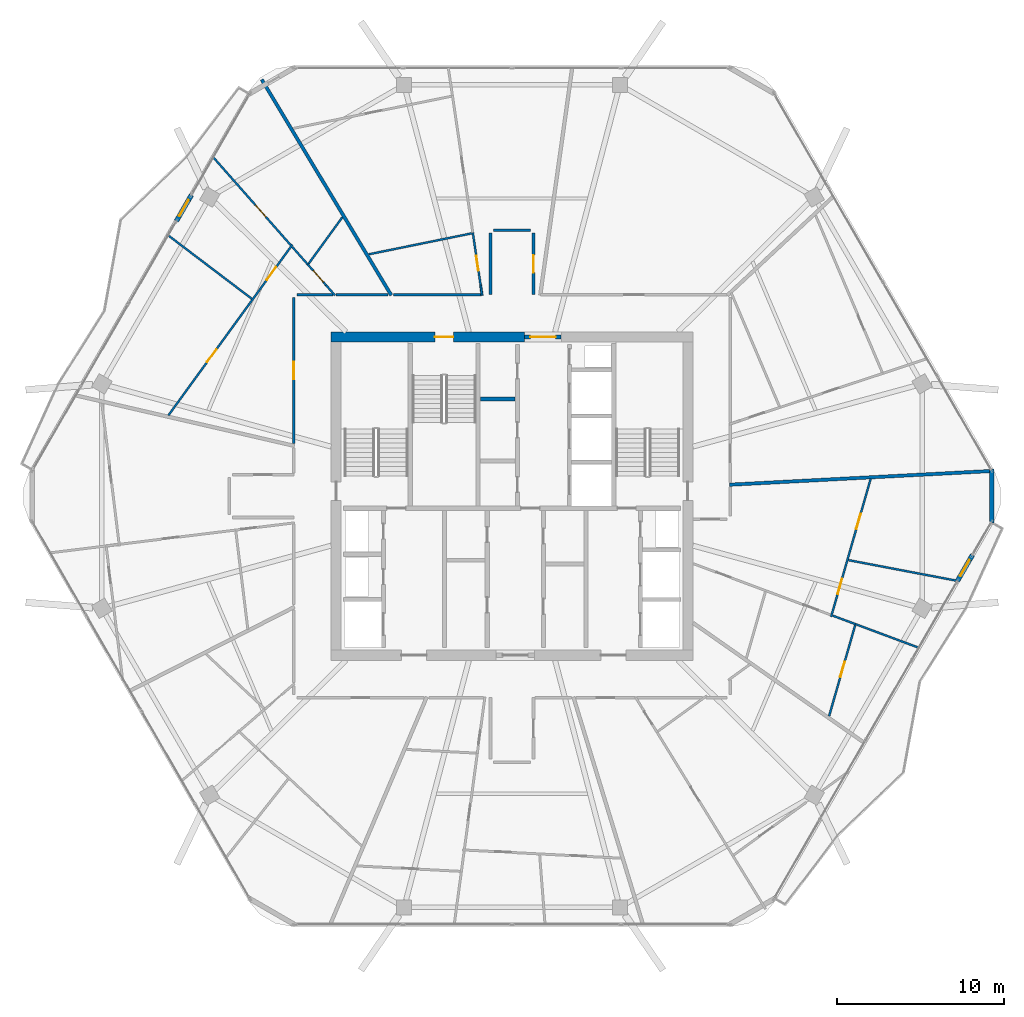
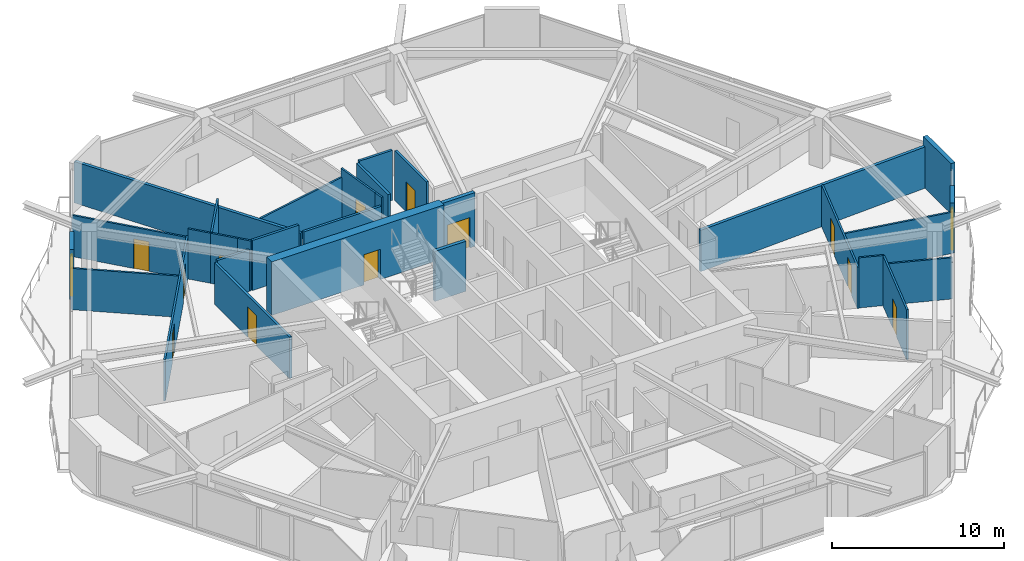
# One storey, part 21 of 25: 30 walls, 14 doors, 14 openings.
"""IFC4 building model written with IfcOpenShell, lengths in metres."""

from ifc_helpers import new_model, si_unit, direction, frame, frame_2d, origin, place, context, subcontext, project, spatial, rectangle, extrude, material, layer, layer_set, type_object, element, fill, save


model = new_model("IFC4")

# Units and contexts
model_context = context("Model", 3, precision=1e-05, world=origin(), true_north=direction((0.0, 1.0)))
body_context = subcontext(model_context, "Body", "Model", "MODEL_VIEW")
ifc_project = project(units=[si_unit("LENGTHUNIT", "METRE"), si_unit("AREAUNIT", "SQUARE_METRE"), si_unit("VOLUMEUNIT", "CUBIC_METRE"), si_unit("PLANEANGLEUNIT", "RADIAN"), si_unit("MASSUNIT", "GRAM", prefix="KILO")], contexts=[model_context])

# Site, building, storey
site_placement = place(None, origin())
site = spatial("IfcSite", under=ifc_project, at=site_placement, CompositionType="ELEMENT")
building_placement = place(site_placement, origin())
building = spatial("IfcBuilding", under=site, at=building_placement, Name="Zuhravey Tower", CompositionType="ELEMENT")
storey_placement = place(building_placement, frame((0.0, 0.0, 257.800048828125)))
storey = spatial("IfcBuildingStorey", under=building, at=storey_placement, Name="L65", CompositionType="ELEMENT", Elevation=257.800048828125)

# Wall, opening, door
ifc_material_1 = material(Name="Concrete C50/60", Category="concrete")
ifc_layer_1 = layer(ifc_material_1, 0.60009765625)
ifc_layer_set_1 = layer_set([ifc_layer_1], Name="Concrete C50/60")
wall_type_1 = type_object("IfcWallType", Name="Core Shear Wall 600", PredefinedType="SHEAR", material=ifc_layer_set_1)
wall_1_placement = place(storey_placement, frame((36.75, 41.5, 0.0), z_axis=(0.0, 0.0, 1.0), x_axis=(-1.0, 0.0, 0.0)))
wall_1 = element("IfcWall", 1, at=wall_1_placement, inside=storey, type_object=wall_type_1, Name="L65 North-West Core Shear Wall CW60", PredefinedType="SHEAR", context=body_context, shape_type="SweptSolid", body=[
    extrude(rectangle(XDim=11.550048828125, YDim=0.60009765625, at=frame_2d((5.77490234375, 0.0))), origin(), (0.0, 0.0, 1.0), 3.800048828125),
])
opening_1_placement = place(wall_1_placement, frame((4.25, 0.0, 0.0)))
opening_1 = element("IfcOpeningElement", 2, at=opening_1_placement, cuts=wall_1, Name="Opening STD1", PredefinedType="OPENING", context=body_context, shape_type="SweptSolid", body=[
    extrude(rectangle(XDim=1.10009765625, YDim=2.14990234375, at=frame_2d((0.550048828125, 1.074951171875))), frame((0.0, 0.31201171875, 0.0), z_axis=(0.0, -1.0, 0.0), x_axis=(1.0, 0.0, 0.0)), (0.0, 0.0, 1.0), 0.6240234375),
])
ifc_material_2 = material(Name="Galvanised fire-rated steel leaf", Category="steel")
door_type_1 = type_object("IfcDoorType", Name="Protected Stair Fire Door 1100x2150", OperationType="NOTDEFINED", PredefinedType="USERDEFINED", material=ifc_material_2)
door_1_placement = place(opening_1_placement, origin())
door_1 = element("IfcDoor", 3, at=door_1_placement, inside=storey, type_object=door_type_1, Name="L65 Stair ST3 Door", ObjectType="EXITDOOR", OperationType="SINGLE_SWING_RIGHT", OverallHeight=2.14990234375, OverallWidth=1.10009765625, PredefinedType="USERDEFINED", context=body_context, shape_type="SweptSolid", body=[
    extrude(rectangle(XDim=1.10009765625, YDim=2.14990234375, at=frame_2d((0.550048828125, 1.074951171875))), frame((0.0, 0.02490234375, 0.0), z_axis=(0.0, -1.0, 0.0), x_axis=(1.0, 0.0, 0.0)), (0.0, 0.0, 1.0), 0.050048828125),
])
fill(opening_1, door_1)

ifc_material_3 = material(Name="Gypsum fire-rated stud partition")
ifc_layer_2 = layer(ifc_material_3, 0.159912109375)
ifc_layer_set_2 = layer_set([ifc_layer_2], Name="Gypsum fire-rated stud partition")
wall_type_2 = type_object("IfcWallType", Name="Corridor Fire Partition 160", PredefinedType="PARTITIONING", material=ifc_layer_set_2)
wall_2_placement = place(storey_placement, frame((22.969970703125, 43.85009765625, 0.0), z_axis=(0.0, 0.0, 1.0), x_axis=(0.0, -1.0, 0.0)))
wall_2 = element("IfcWall", 4, at=wall_2_placement, inside=storey, type_object=wall_type_2, Name="L65 IW16 Partition 024", PredefinedType="PARTITIONING", context=body_context, shape_type="SweptSolid", body=[
    extrude(rectangle(XDim=8.701416015625, YDim=0.159912109375, at=frame_2d((4.3505859375, 0.0))), origin(), (0.0, 0.0, 1.0), 2.949951171875),
])
opening_2_placement = place(wall_2_placement, frame((3.82568359375, 0.0, 0.0)))
opening_2 = element("IfcOpeningElement", 5, at=opening_2_placement, cuts=wall_2, Name="Opening APD1", PredefinedType="OPENING", context=body_context, shape_type="SweptSolid", body=[
    extrude(rectangle(XDim=1.050048828125, YDim=2.14990234375, at=frame_2d((0.52490234375, 1.074951171875))), frame((0.0, 0.092041015625, 0.0), z_axis=(0.0, -1.0, 0.0), x_axis=(1.0, 0.0, 0.0)), (0.0, 0.0, 1.0), 0.183837890625),
])
ifc_material_4 = material(Name="Solid-core oak fire-rated leaf")
door_type_2 = type_object("IfcDoorType", Name="Apartment Entrance Fire Door 1050x2150", OperationType="NOTDEFINED", PredefinedType="DOOR", material=ifc_material_4)
door_2_placement = place(opening_2_placement, frame((1.050048828125, 0.0, 0.0), z_axis=(0.0, 0.0, 1.0), x_axis=(-1.0, 0.0, 0.0)))
door_2 = element("IfcDoor", 6, at=door_2_placement, inside=storey, type_object=door_type_2, Name="L65 Door 024.1", OperationType="SINGLE_SWING_LEFT", OverallHeight=2.14990234375, OverallWidth=1.050048828125, PredefinedType="DOOR", context=body_context, shape_type="SweptSolid", body=[
    extrude(rectangle(XDim=1.050048828125, YDim=2.14990234375, at=frame_2d((0.52490234375, 1.074951171875))), frame((0.0, 0.02490234375, 0.0), z_axis=(0.0, -1.0, 0.0), x_axis=(1.0, 0.0, 0.0)), (0.0, 0.0, 1.0), 0.050048828125),
])
fill(opening_2, door_2)

wall_3_placement = place(storey_placement, frame((37.280029296875, 44.030029296875, 0.0), z_axis=(0.0, 0.0, 1.0), x_axis=(0.0, 1.0, 0.0)))
wall_3 = element("IfcWall", 7, at=wall_3_placement, inside=storey, type_object=wall_type_2, Name="L65 IW16 Partition 060", PredefinedType="PARTITIONING", context=body_context, shape_type="SweptSolid", body=[
    extrude(rectangle(XDim=3.669921875, YDim=0.159912109375, at=frame_2d((1.8349609375, 0.0))), origin(), (0.0, 0.0, 1.0), 3.550048828125),
])
opening_3_placement = place(wall_3_placement, frame((1.31005859375, 0.0, 0.0)))
opening_3 = element("IfcOpeningElement", 8, at=opening_3_placement, cuts=wall_3, Name="Opening APD1", PredefinedType="OPENING", context=body_context, shape_type="SweptSolid", body=[
    extrude(rectangle(XDim=1.050048828125, YDim=2.14990234375, at=frame_2d((0.52490234375, 1.074951171875))), frame((0.0, 0.092041015625, 0.0), z_axis=(0.0, -1.0, 0.0), x_axis=(1.0, 0.0, 0.0)), (0.0, 0.0, 1.0), 0.183837890625),
])
door_3_placement = place(opening_3_placement, origin())
door_3 = element("IfcDoor", 9, at=door_3_placement, inside=storey, type_object=door_type_2, Name="L65 Door 060.1", OperationType="SINGLE_SWING_RIGHT", OverallHeight=2.14990234375, OverallWidth=1.050048828125, PredefinedType="DOOR", context=body_context, shape_type="SweptSolid", body=[
    extrude(rectangle(XDim=1.050048828125, YDim=2.14990234375, at=frame_2d((0.52490234375, 1.074951171875))), frame((0.0, 0.02490234375, 0.0), z_axis=(0.0, -1.0, 0.0), x_axis=(1.0, 0.0, 0.0)), (0.0, 0.0, 1.0), 0.050048828125),
])
fill(opening_3, door_3)

# Walls
wall_4_placement = place(storey_placement, frame((25.303466796875, 44.030029296875, 0.0), z_axis=(0.0, 0.0, 1.0), x_axis=(-1.0, 0.0, 0.0)))
element("IfcWall", 10, at=wall_4_placement, inside=storey, type_object=wall_type_2, Name="L65 IW16 Partition 103", PredefinedType="PARTITIONING", context=body_context, shape_type="SweptSolid", body=[
    extrude(rectangle(XDim=2.153564453125, YDim=0.159912109375, at=frame_2d((1.07666015625, 0.0))), origin(), (0.0, 0.0, 1.0), 2.949951171875),
])
wall_5_placement = place(storey_placement, frame((28.6044921875, 44.030029296875, 0.0), z_axis=(0.0, 0.0, 1.0), x_axis=(-1.0, 0.0, 0.0)))
element("IfcWall", 11, at=wall_5_placement, inside=storey, type_object=wall_type_2, Name="L65 IW16 Partition 104", PredefinedType="PARTITIONING", context=body_context, shape_type="SweptSolid", body=[
    extrude(rectangle(XDim=3.11962890625, YDim=0.159912109375, at=frame_2d((1.559814453125, 0.0))), origin(), (0.0, 0.0, 1.0), 3.550048828125),
])
wall_6_placement = place(storey_placement, frame((34.719970703125, 47.699951171875, 0.0), z_axis=(0.0, 0.0, 1.0), x_axis=(0.0, -1.0, 0.0)))
element("IfcWall", 12, at=wall_6_placement, inside=storey, type_object=wall_type_2, Name="L65 IW16 Partition 120", PredefinedType="PARTITIONING", context=body_context, shape_type="SweptSolid", body=[
    extrude(rectangle(XDim=3.669921875, YDim=0.159912109375, at=frame_2d((1.8349609375, 0.0))), origin(), (0.0, 0.0, 1.0), 3.550048828125),
])
wall_7_placement = place(storey_placement, frame((37.10009765625, 47.8798828125, 0.0), z_axis=(0.0, 0.0, 1.0), x_axis=(-1.0, 0.0, 0.0)))
element("IfcWall", 13, at=wall_7_placement, inside=storey, type_object=wall_type_2, Name="L65 IW16 Partition 121", PredefinedType="PARTITIONING", context=body_context, shape_type="SweptSolid", body=[
    extrude(rectangle(XDim=2.2001953125, YDim=0.159912109375, at=frame_2d((1.10009765625, 0.0))), origin(), (0.0, 0.0, 1.0), 3.550048828125),
])
wall_8_placement = place(storey_placement, frame((34.141845703125, 44.030029296875, 0.0), z_axis=(0.0, 0.0, 1.0), x_axis=(-1.0, 0.0, 0.0)))
element("IfcWall", 14, at=wall_8_placement, inside=storey, type_object=wall_type_2, Name="L65 IW16 Partition 122", PredefinedType="PARTITIONING", context=body_context, shape_type="SweptSolid", body=[
    extrude(rectangle(XDim=5.204833984375, YDim=0.159912109375, at=frame_2d((2.6025390625, 0.0))), origin(), (0.0, 0.0, 1.0), 2.949951171875),
])

# Wall, opening, door
ifc_material_5 = material(Name="Precast concrete C40/50", Category="concrete")
ifc_layer_3 = layer(ifc_material_5, 0.280029296875)
ifc_layer_set_3 = layer_set([ifc_layer_3], Name="Precast concrete C40/50")
wall_type_3 = type_object("IfcWallType", Name="Crown Architectural Wall 280", PredefinedType="SOLIDWALL", material=ifc_layer_set_3)
wall_9_placement = place(storey_placement, frame((63.484130859375, 28.4765625, 0.0), z_axis=(0.0, 0.0, 1.0), x_axis=(-0.500041240653, -0.866001592173, 0.0)))
wall_9 = element("IfcWall", 15, at=wall_9_placement, inside=storey, type_object=wall_type_3, Name="L65 Face 6 Facade Pier EW28-1", PredefinedType="SOLIDWALL", context=body_context, shape_type="SweptSolid", body=[
    extrude(rectangle(XDim=1.789794921875, YDim=0.280029296875, at=frame_2d((0.89501953125, 0.0))), origin(), (0.0, 0.0, 1.0), 3.550048828125),
])
opening_4_placement = place(wall_9_placement, frame((0.344970703125, 0.0, 0.0)))
opening_4 = element("IfcOpeningElement", 16, at=opening_4_placement, cuts=wall_9, Name="Opening BLD1", PredefinedType="OPENING", context=body_context, shape_type="SweptSolid", body=[
    extrude(rectangle(XDim=1.10009765625, YDim=2.199951171875, at=frame_2d((0.550048828125, 1.10009765625))), frame((0.0, 0.152099609375, 0.0), z_axis=(0.0, -1.0, 0.0), x_axis=(1.0, 0.0, 0.0)), (0.0, 0.0, 1.0), 0.303955078125),
])
ifc_material_6 = material(Name="Thermally broken aluminium and low-E glass", Category="aluminium")
door_type_3 = type_object("IfcDoorType", Name="Balcony & Sky-Tray Glazed Door 1100x2200", OperationType="NOTDEFINED", PredefinedType="DOOR", material=ifc_material_6)
door_4_placement = place(opening_4_placement, frame((1.10009765625, 0.0, 0.0), z_axis=(0.0, 0.0, 1.0), x_axis=(-1.0, 0.0, 0.0)))
door_4 = element("IfcDoor", 17, at=door_4_placement, inside=storey, type_object=door_type_3, Name="L65 Face 6 Wave Balcony Door", OperationType="SINGLE_SWING_LEFT", OverallHeight=2.199951171875, OverallWidth=1.10009765625, PredefinedType="DOOR", context=body_context, shape_type="SweptSolid", body=[
    extrude(rectangle(XDim=1.10009765625, YDim=2.199951171875, at=frame_2d((0.550048828125, 1.10009765625))), frame((0.0, 0.02490234375, 0.0), z_axis=(0.0, -1.0, 0.0), x_axis=(1.0, 0.0, 0.0)), (0.0, 0.0, 1.0), 0.050048828125),
])
fill(opening_4, door_4)

wall_10_placement = place(storey_placement, frame((15.9638671875, 48.42333984375, 0.0), z_axis=(0.0, 0.0, 1.0), x_axis=(0.499982180423, 0.866035691677, 0.0)))
wall_10 = element("IfcWall", 18, at=wall_10_placement, inside=storey, type_object=wall_type_3, Name="L65 Face 3 Facade Pier EW28-1", PredefinedType="SOLIDWALL", context=body_context, shape_type="SweptSolid", body=[
    extrude(rectangle(XDim=1.7900390625, YDim=0.280029296875, at=frame_2d((0.89501953125, 0.0))), origin(), (0.0, 0.0, 1.0), 3.550048828125),
])
opening_5_placement = place(wall_10_placement, frame((0.344970703125, 0.0, 0.0)))
opening_5 = element("IfcOpeningElement", 19, at=opening_5_placement, cuts=wall_10, Name="Opening BLD1", PredefinedType="OPENING", context=body_context, shape_type="SweptSolid", body=[
    extrude(rectangle(XDim=1.10009765625, YDim=2.199951171875, at=frame_2d((0.550048828125, 1.10009765625))), frame((0.0, 0.152099609375, 0.0), z_axis=(0.0, -1.0, 0.0), x_axis=(1.0, 0.0, 0.0)), (0.0, 0.0, 1.0), 0.303955078125),
])
door_5_placement = place(opening_5_placement, frame((1.10009765625, 0.0, 0.0), z_axis=(0.0, 0.0, 1.0), x_axis=(-1.0, 0.0, 0.0)))
door_5 = element("IfcDoor", 20, at=door_5_placement, inside=storey, type_object=door_type_3, Name="L65 Face 3 Wave Balcony Door", OperationType="SINGLE_SWING_RIGHT", OverallHeight=2.199951171875, OverallWidth=1.10009765625, PredefinedType="DOOR", context=body_context, shape_type="SweptSolid", body=[
    extrude(rectangle(XDim=1.10009765625, YDim=2.199951171875, at=frame_2d((0.550048828125, 1.10009765625))), frame((0.0, 0.02490234375, 0.0), z_axis=(0.0, -1.0, 0.0), x_axis=(1.0, 0.0, 0.0)), (0.0, 0.0, 1.0), 0.050048828125),
])
fill(opening_5, door_5)

# Wall
wall_11_placement = place(storey_placement, frame((64.64501953125, 33.607421875, 0.0), z_axis=(0.0, 0.0, 1.0), x_axis=(0.0, -1.0, 0.0)))
element("IfcWall", 21, at=wall_11_placement, inside=storey, type_object=wall_type_3, Name="L65 Rounded Corner Closure Wall EW28-12", PredefinedType="SOLIDWALL", context=body_context, shape_type="SweptSolid", body=[
    extrude(rectangle(XDim=3.21484375, YDim=0.280029296875, at=frame_2d((1.607421875, 0.0))), origin(), (0.0, 0.0, 1.0), 3.550048828125),
])

# Wall, opening, door
ifc_layer_4 = layer(ifc_material_1, 0.25)
ifc_layer_set_4 = layer_set([ifc_layer_4], Name="Concrete C50/60")
wall_type_4 = type_object("IfcWallType", Name="Firefighting Shaft & Stair Wall 250", PredefinedType="SOLIDWALL", material=ifc_layer_set_4)
wall_12_placement = place(storey_placement, frame((36.760009765625, 41.5, 0.0), z_axis=(0.0, 0.0, 1.0), x_axis=(1.0, 0.0, 0.0)))
wall_12 = element("IfcWall", 22, at=wall_12_placement, inside=storey, type_object=wall_type_4, Name="L65 FW25 Shaft Wall 002", PredefinedType="SOLIDWALL", context=body_context, shape_type="SweptSolid", body=[
    extrude(rectangle(XDim=2.179931640625, YDim=0.25, at=frame_2d((1.08984375, 0.0))), origin(), (0.0, 0.0, 1.0), 3.800048828125),
])
opening_6_placement = place(wall_12_placement, frame((0.340087890625, 0.0, 0.0)))
opening_6 = element("IfcOpeningElement", 23, at=opening_6_placement, cuts=wall_12, Name="Opening FFD1", PredefinedType="OPENING", context=body_context, shape_type="SweptSolid", body=[
    extrude(rectangle(XDim=1.5, YDim=2.14990234375, at=frame_2d((0.75, 1.074951171875))), frame((0.0, 0.136962890625, 0.0), z_axis=(0.0, -1.0, 0.0), x_axis=(1.0, 0.0, 0.0)), (0.0, 0.0, 1.0), 0.27392578125),
])
door_type_4 = type_object("IfcDoorType", Name="Firefighting Lobby Double Door 1500x2150", OperationType="DOUBLE_DOOR_SINGLE_SWING", PredefinedType="DOOR", material=ifc_material_2)
door_6_placement = place(opening_6_placement, origin())
door_6 = element("IfcDoor", 24, at=door_6_placement, inside=storey, type_object=door_type_4, Name="L65 North Lift Lobby Exit Door", OperationType="DOUBLE_DOOR_SINGLE_SWING", OverallHeight=2.14990234375, OverallWidth=1.5, PredefinedType="DOOR", context=body_context, shape_type="SweptSolid", body=[
    extrude(rectangle(XDim=1.5, YDim=2.14990234375, at=frame_2d((0.75, 1.074951171875))), frame((0.0, 0.02490234375, 0.0), z_axis=(0.0, -1.0, 0.0), x_axis=(1.0, 0.0, 0.0)), (0.0, 0.0, 1.0), 0.050048828125),
])
fill(opening_6, door_6)

# Walls
ifc_material_7 = material(Name="Gypsum double-stud party assembly")
ifc_layer_5 = layer(ifc_material_7, 0.199951171875)
ifc_layer_set_5 = layer_set([ifc_layer_5], Name="Gypsum double-stud party assembly")
wall_type_5 = type_object("IfcWallType", Name="Inter-Tenancy Party Wall 200", PredefinedType="PARTITIONING", material=ifc_layer_set_5)
wall_13_placement = place(storey_placement, frame((28.795654296875, 43.989990234375, 0.0), z_axis=(0.0, 0.0, 1.0), x_axis=(-0.515040294727, 0.857165966898, 0.0)))
element("IfcWall", 25, at=wall_13_placement, inside=storey, type_object=wall_type_5, Name="L65 IW20 Partition 067", PredefinedType="PARTITIONING", context=body_context, shape_type="SweptSolid", body=[
    extrude(rectangle(XDim=15.02978515625, YDim=0.199951171875, at=frame_2d((7.514892578125, 0.0))), origin(), (0.0, 0.0, 1.0), 2.929931640625),
])
wall_14_placement = place(storey_placement, frame((48.989990234375, 32.680908203125, 0.0), z_axis=(0.0, 0.0, 1.0), x_axis=(0.998629458789, 0.052337405734, 0.0)))
element("IfcWall", 26, at=wall_14_placement, inside=storey, type_object=wall_type_5, Name="L65 IW20 Partition 094", PredefinedType="PARTITIONING", context=body_context, shape_type="SweptSolid", body=[
    extrude(rectangle(XDim=15.682861328125, YDim=0.199951171875, at=frame_2d((7.84130859375, 0.0))), origin(), (0.0, 0.0, 1.0), 2.929931640625),
])
ifc_material_8 = material(Name="Gypsum acoustic stud assembly")
ifc_layer_6 = layer(ifc_material_8, 0.219970703125)
ifc_layer_set_6 = layer_set([ifc_layer_6], Name="Gypsum acoustic stud assembly")
wall_type_6 = type_object("IfcWallType", Name="School Acoustic Compartment Wall 220", PredefinedType="PARTITIONING", material=ifc_layer_set_6)
wall_15_placement = place(storey_placement, frame((34.10791015625, 37.800048828125, 0.0), z_axis=(0.0, 0.0, 1.0), x_axis=(1.0, 0.0, 0.0)))
element("IfcWall", 27, at=wall_15_placement, inside=storey, type_object=wall_type_6, Name="L65 IW22 Partition 062", PredefinedType="PARTITIONING", context=body_context, shape_type="SweptSolid", body=[
    extrude(rectangle(XDim=2.083984375, YDim=0.219970703125, at=frame_2d((1.0419921875, 0.0))), origin(), (0.0, 0.0, 1.0), 3.550048828125),
])

# Wall, openings, doors
ifc_material_9 = material(Name="Gypsum metal-stud partition")
ifc_layer_7 = layer(ifc_material_9, 0.1201171875)
ifc_layer_set_7 = layer_set([ifc_layer_7], Name="Gypsum metal-stud partition")
wall_type_7 = type_object("IfcWallType", Name="Unit Internal Partition 120", PredefinedType="PARTITIONING", material=ifc_layer_set_7)
wall_16_placement = place(storey_placement, frame((22.892822265625, 47.018310546875, 0.0), z_axis=(0.0, 0.0, 1.0), x_axis=(-0.587777700705, -0.80902248087, 0.0)))
wall_16 = element("IfcWall", 28, at=wall_16_placement, inside=storey, type_object=wall_type_7, Name="L65 IW12 Partition 020", PredefinedType="PARTITIONING", context=body_context, shape_type="SweptSolid", body=[
    extrude(rectangle(XDim=12.60302734375, YDim=0.1201171875, at=frame_2d((6.301513671875, 0.0))), origin(), (0.0, 0.0, 1.0), 2.949951171875),
])
opening_7_placement = place(wall_16_placement, frame((1.66845703125, 0.0, 0.0)))
opening_7 = element("IfcOpeningElement", 29, at=opening_7_placement, cuts=wall_16, Name="Opening IND1", PredefinedType="OPENING", context=body_context, shape_type="SweptSolid", body=[
    extrude(rectangle(XDim=0.949951171875, YDim=2.10009765625, at=frame_2d((0.47509765625, 1.050048828125))), frame((0.0, 0.072021484375, 0.0), z_axis=(0.0, -1.0, 0.0), x_axis=(1.0, 0.0, 0.0)), (0.0, 0.0, 1.0), 0.14404296875),
])
opening_8_placement = place(wall_16_placement, frame((7.72998046875, 0.0, 0.0)))
opening_8 = element("IfcOpeningElement", 30, at=opening_8_placement, cuts=wall_16, Name="Opening IND1", PredefinedType="OPENING", context=body_context, shape_type="SweptSolid", body=[
    extrude(rectangle(XDim=0.949951171875, YDim=2.10009765625, at=frame_2d((0.47509765625, 1.050048828125))), frame((0.0, 0.072021484375, 0.0), z_axis=(0.0, -1.0, 0.0), x_axis=(1.0, 0.0, 0.0)), (0.0, 0.0, 1.0), 0.14404296875),
])
ifc_material_10 = material(Name="Painted engineered timber leaf", Category="wood")
door_type_5 = type_object("IfcDoorType", Name="Internal Room & Bedroom Door 950x2100", OperationType="NOTDEFINED", PredefinedType="DOOR", material=ifc_material_10)
door_7_placement = place(opening_7_placement, frame((0.949951171875, 0.0, 0.0), z_axis=(0.0, 0.0, 1.0), x_axis=(-1.0, 0.0, 0.0)))
door_7 = element("IfcDoor", 31, at=door_7_placement, inside=storey, type_object=door_type_5, Name="Apartment L65-01 Family Study Door", OperationType="SINGLE_SWING_LEFT", OverallHeight=2.10009765625, OverallWidth=0.949951171875, PredefinedType="DOOR", context=body_context, shape_type="SweptSolid", body=[
    extrude(rectangle(XDim=0.949951171875, YDim=2.10009765625, at=frame_2d((0.47509765625, 1.050048828125))), frame((0.0, 0.02490234375, 0.0), z_axis=(0.0, -1.0, 0.0), x_axis=(1.0, 0.0, 0.0)), (0.0, 0.0, 1.0), 0.050048828125),
])
fill(opening_7, door_7)
door_8_placement = place(opening_8_placement, frame((0.949951171875, 0.0, 0.0), z_axis=(0.0, 0.0, 1.0), x_axis=(-1.0, 0.0, 0.0)))
door_8 = element("IfcDoor", 32, at=door_8_placement, inside=storey, type_object=door_type_5, Name="Apartment L65-01 Dining Room Door", OperationType="SINGLE_SWING_RIGHT", OverallHeight=2.10009765625, OverallWidth=0.949951171875, PredefinedType="DOOR", context=body_context, shape_type="SweptSolid", body=[
    extrude(rectangle(XDim=0.949951171875, YDim=2.10009765625, at=frame_2d((0.47509765625, 1.050048828125))), frame((0.0, 0.02490234375, 0.0), z_axis=(0.0, -1.0, 0.0), x_axis=(1.0, 0.0, 0.0)), (0.0, 0.0, 1.0), 0.050048828125),
])
fill(opening_8, door_8)

# Wall, opening, door
wall_17_placement = place(storey_placement, frame((24.8916015625, 44.60009765625, 0.0), z_axis=(0.0, 0.0, 1.0), x_axis=(-0.661313728026, 0.750109427433, 0.0)))
wall_17 = element("IfcWall", 33, at=wall_17_placement, inside=storey, type_object=wall_type_7, Name="L65 IW12 Partition 021", PredefinedType="PARTITIONING", context=body_context, shape_type="SweptSolid", body=[
    extrude(rectangle(XDim=1.65234375, YDim=0.1201171875, at=frame_2d((0.826171875, 0.0))), origin(), (0.0, 0.0, 1.0), 3.550048828125),
])
opening_9_placement = place(wall_17_placement, frame((0.244140625, 0.0, 0.0)))
opening_9 = element("IfcOpeningElement", 34, at=opening_9_placement, cuts=wall_17, Name="Opening WCD1", PredefinedType="OPENING", context=body_context, shape_type="SweptSolid", body=[
    extrude(rectangle(XDim=0.89990234375, YDim=2.10009765625, at=frame_2d((0.449951171875, 1.050048828125))), frame((0.0, 0.072021484375, 0.0), z_axis=(0.0, -1.0, 0.0), x_axis=(1.0, 0.0, 0.0)), (0.0, 0.0, 1.0), 0.14404296875),
])
ifc_material_11 = material(Name="Moisture-resistant timber leaf", Category="wood")
door_type_6 = type_object("IfcDoorType", Name="Bathroom & WC Internal Door 900x2100", OperationType="NOTDEFINED", PredefinedType="DOOR", material=ifc_material_11)
door_9_placement = place(opening_9_placement, frame((0.89990234375, 0.0, 0.0), z_axis=(0.0, 0.0, 1.0), x_axis=(-1.0, 0.0, 0.0)))
door_9 = element("IfcDoor", 35, at=door_9_placement, inside=storey, type_object=door_type_6, Name="Apartment L65-01 Bathroom Door", OperationType="SINGLE_SWING_LEFT", OverallHeight=2.10009765625, OverallWidth=0.89990234375, PredefinedType="DOOR", context=body_context, shape_type="SweptSolid", body=[
    extrude(rectangle(XDim=0.89990234375, YDim=2.10009765625, at=frame_2d((0.449951171875, 1.050048828125))), frame((0.0, 0.02490234375, 0.0), z_axis=(0.0, -1.0, 0.0), x_axis=(1.0, 0.0, 0.0)), (0.0, 0.0, 1.0), 0.050048828125),
])
fill(opening_9, door_9)

# Wall
wall_18_placement = place(storey_placement, frame((23.798583984375, 45.839599609375, 0.0), z_axis=(0.0, 0.0, 1.0), x_axis=(-0.661308126209, 0.750114366087, 0.0)))
element("IfcWall", 36, at=wall_18_placement, inside=storey, type_object=wall_type_7, Name="L65 IW12 Partition 022", PredefinedType="PARTITIONING", context=body_context, shape_type="SweptSolid", body=[
    extrude(rectangle(XDim=1.39111328125, YDim=0.1201171875, at=frame_2d((0.695556640625, 0.0))), origin(), (0.0, 0.0, 1.0), 3.550048828125),
])

# Wall, opening, door
wall_19_placement = place(storey_placement, frame((22.78662109375, 46.987548828125, 0.0), z_axis=(0.0, 0.0, 1.0), x_axis=(-0.661313472819, 0.750109652429, 0.0)))
wall_19 = element("IfcWall", 37, at=wall_19_placement, inside=storey, type_object=wall_type_7, Name="L65 IW12 Partition 023", PredefinedType="PARTITIONING", context=body_context, shape_type="SweptSolid", body=[
    extrude(rectangle(XDim=6.997314453125, YDim=0.1201171875, at=frame_2d((3.49853515625, 0.0))), origin(), (0.0, 0.0, 1.0), 2.929931640625),
])
opening_10_placement = place(wall_19_placement, frame((2.23291015625, 0.0, 0.0)))
opening_10 = element("IfcOpeningElement", 38, at=opening_10_placement, cuts=wall_19, Name="Opening IND1", PredefinedType="OPENING", context=body_context, shape_type="SweptSolid", body=[
    extrude(rectangle(XDim=0.949951171875, YDim=2.10009765625, at=frame_2d((0.47509765625, 1.050048828125))), frame((0.0, 0.072021484375, 0.0), z_axis=(0.0, -1.0, 0.0), x_axis=(1.0, 0.0, 0.0)), (0.0, 0.0, 1.0), 0.14404296875),
])
door_10_placement = place(opening_10_placement, frame((0.949951171875, 0.0, 0.0), z_axis=(0.0, 0.0, 1.0), x_axis=(-1.0, 0.0, 0.0)))
door_10 = element("IfcDoor", 39, at=door_10_placement, inside=storey, type_object=door_type_5, Name="Apartment L65-01 Bedroom 1 Door", OperationType="SINGLE_SWING_RIGHT", OverallHeight=2.10009765625, OverallWidth=0.949951171875, PredefinedType="DOOR", context=body_context, shape_type="SweptSolid", body=[
    extrude(rectangle(XDim=0.949951171875, YDim=2.10009765625, at=frame_2d((0.47509765625, 1.050048828125))), frame((0.0, 0.02490234375, 0.0), z_axis=(0.0, -1.0, 0.0), x_axis=(1.0, 0.0, 0.0)), (0.0, 0.0, 1.0), 0.050048828125),
])
fill(opening_10, door_10)

# Wall, openings, doors
wall_20_placement = place(storey_placement, frame((55.05126953125, 24.793212890625, 0.0), z_axis=(0.0, 0.0, 1.0), x_axis=(0.275631107549, 0.961263487578, 0.0)))
wall_20 = element("IfcWall", 40, at=wall_20_placement, inside=storey, type_object=wall_type_7, Name="L65 IW12 Partition 046", PredefinedType="PARTITIONING", context=body_context, shape_type="SweptSolid", body=[
    extrude(rectangle(XDim=8.573974609375, YDim=0.1201171875, at=frame_2d((4.287109375, 0.0))), origin(), (0.0, 0.0, 1.0), 2.949951171875),
])
opening_11_placement = place(wall_20_placement, frame((1.41259765625, 0.0, 0.0)))
opening_11 = element("IfcOpeningElement", 41, at=opening_11_placement, cuts=wall_20, Name="Opening IND1", PredefinedType="OPENING", context=body_context, shape_type="SweptSolid", body=[
    extrude(rectangle(XDim=0.949951171875, YDim=2.10009765625, at=frame_2d((0.47509765625, 1.050048828125))), frame((0.0, 0.072021484375, 0.0), z_axis=(0.0, -1.0, 0.0), x_axis=(1.0, 0.0, 0.0)), (0.0, 0.0, 1.0), 0.14404296875),
])
opening_12_placement = place(wall_20_placement, frame((5.458984375, 0.0, 0.0)))
opening_12 = element("IfcOpeningElement", 42, at=opening_12_placement, cuts=wall_20, Name="Opening IND1", PredefinedType="OPENING", context=body_context, shape_type="SweptSolid", body=[
    extrude(rectangle(XDim=0.949951171875, YDim=2.10009765625, at=frame_2d((0.47509765625, 1.050048828125))), frame((0.0, 0.072021484375, 0.0), z_axis=(0.0, -1.0, 0.0), x_axis=(1.0, 0.0, 0.0)), (0.0, 0.0, 1.0), 0.14404296875),
])
door_11_placement = place(opening_11_placement, frame((0.949951171875, 0.0, 0.0), z_axis=(0.0, 0.0, 1.0), x_axis=(-1.0, 0.0, 0.0)))
door_11 = element("IfcDoor", 43, at=door_11_placement, inside=storey, type_object=door_type_5, Name="Apartment L65-06 Family Study Door", OperationType="SINGLE_SWING_RIGHT", OverallHeight=2.10009765625, OverallWidth=0.949951171875, PredefinedType="DOOR", context=body_context, shape_type="SweptSolid", body=[
    extrude(rectangle(XDim=0.949951171875, YDim=2.10009765625, at=frame_2d((0.47509765625, 1.050048828125))), frame((0.0, 0.02490234375, 0.0), z_axis=(0.0, -1.0, 0.0), x_axis=(1.0, 0.0, 0.0)), (0.0, 0.0, 1.0), 0.050048828125),
])
fill(opening_11, door_11)
door_12_placement = place(opening_12_placement, frame((0.949951171875, 0.0, 0.0), z_axis=(0.0, 0.0, 1.0), x_axis=(-1.0, 0.0, 0.0)))
door_12 = element("IfcDoor", 44, at=door_12_placement, inside=storey, type_object=door_type_5, Name="Apartment L65-06 Dining Room Door", OperationType="SINGLE_SWING_LEFT", OverallHeight=2.10009765625, OverallWidth=0.949951171875, PredefinedType="DOOR", context=body_context, shape_type="SweptSolid", body=[
    extrude(rectangle(XDim=0.949951171875, YDim=2.10009765625, at=frame_2d((0.47509765625, 1.050048828125))), frame((0.0, 0.02490234375, 0.0), z_axis=(0.0, -1.0, 0.0), x_axis=(1.0, 0.0, 0.0)), (0.0, 0.0, 1.0), 0.050048828125),
])
fill(opening_12, door_12)

# Wall
wall_21_placement = place(storey_placement, frame((55.142578125, 24.86572265625, 0.0), z_axis=(0.0, 0.0, 1.0), x_axis=(0.937038743308, -0.349225419378, 0.0)))
element("IfcWall", 45, at=wall_21_placement, inside=storey, type_object=wall_type_7, Name="L65 IW12 Partition 049", PredefinedType="PARTITIONING", context=body_context, shape_type="SweptSolid", body=[
    extrude(rectangle(XDim=1.480712890625, YDim=0.1201171875, at=frame_2d((0.740234375, 0.0))), origin(), (0.0, 0.0, 1.0), 3.550048828125),
])

# Wall, opening, door
wall_22_placement = place(storey_placement, frame((54.93212890625, 18.866943359375, 0.0), z_axis=(0.0, 0.0, 1.0), x_axis=(0.275658043462, 0.961255763611, 0.0)))
wall_22 = element("IfcWall", 46, at=wall_22_placement, inside=storey, type_object=wall_type_7, Name="L65 IW12 Partition 050", PredefinedType="PARTITIONING", context=body_context, shape_type="SweptSolid", body=[
    extrude(rectangle(XDim=5.6435546875, YDim=0.1201171875, at=frame_2d((2.82177734375, 0.0))), origin(), (0.0, 0.0, 1.0), 3.550048828125),
])
opening_13_placement = place(wall_22_placement, frame((2.430908203125, 0.0, 0.0)))
opening_13 = element("IfcOpeningElement", 47, at=opening_13_placement, cuts=wall_22, Name="Opening IND1", PredefinedType="OPENING", context=body_context, shape_type="SweptSolid", body=[
    extrude(rectangle(XDim=0.949951171875, YDim=2.10009765625, at=frame_2d((0.47509765625, 1.050048828125))), frame((0.0, 0.072021484375, 0.0), z_axis=(0.0, -1.0, 0.0), x_axis=(1.0, 0.0, 0.0)), (0.0, 0.0, 1.0), 0.14404296875),
])
door_13_placement = place(opening_13_placement, frame((0.949951171875, 0.0, 0.0), z_axis=(0.0, 0.0, 1.0), x_axis=(-1.0, 0.0, 0.0)))
door_13 = element("IfcDoor", 48, at=door_13_placement, inside=storey, type_object=door_type_5, Name="Apartment L65-06 Bedroom 1 Door", OperationType="SINGLE_SWING_RIGHT", OverallHeight=2.10009765625, OverallWidth=0.949951171875, PredefinedType="DOOR", context=body_context, shape_type="SweptSolid", body=[
    extrude(rectangle(XDim=0.949951171875, YDim=2.10009765625, at=frame_2d((0.47509765625, 1.050048828125))), frame((0.0, 0.02490234375, 0.0), z_axis=(0.0, -1.0, 0.0), x_axis=(1.0, 0.0, 0.0)), (0.0, 0.0, 1.0), 0.050048828125),
])
fill(opening_13, door_13)

wall_23_placement = place(storey_placement, frame((34.1259765625, 44.60009765625, 0.0), z_axis=(0.0, 0.0, 1.0), x_axis=(-0.147116797121, 0.989119127307, 0.0)))
wall_23 = element("IfcWall", 49, at=wall_23_placement, inside=storey, type_object=wall_type_7, Name="L65 IW12 Partition 057", PredefinedType="PARTITIONING", context=body_context, shape_type="SweptSolid", body=[
    extrude(rectangle(XDim=3.161376953125, YDim=0.1201171875, at=frame_2d((1.58056640625, 0.0))), origin(), (0.0, 0.0, 1.0), 3.550048828125),
])
opening_14_placement = place(wall_23_placement, frame((0.877685546875, 0.0, 0.0)))
opening_14 = element("IfcOpeningElement", 50, at=opening_14_placement, cuts=wall_23, Name="Opening WCD1", PredefinedType="OPENING", context=body_context, shape_type="SweptSolid", body=[
    extrude(rectangle(XDim=0.89990234375, YDim=2.10009765625, at=frame_2d((0.449951171875, 1.050048828125))), frame((0.0, 0.072021484375, 0.0), z_axis=(0.0, -1.0, 0.0), x_axis=(1.0, 0.0, 0.0)), (0.0, 0.0, 1.0), 0.14404296875),
])
door_14_placement = place(opening_14_placement, origin())
door_14 = element("IfcDoor", 51, at=door_14_placement, inside=storey, type_object=door_type_6, Name="Apartment L65-09 Bathroom Door", OperationType="SINGLE_SWING_LEFT", OverallHeight=2.10009765625, OverallWidth=0.89990234375, PredefinedType="DOOR", context=body_context, shape_type="SweptSolid", body=[
    extrude(rectangle(XDim=0.89990234375, YDim=2.10009765625, at=frame_2d((0.449951171875, 1.050048828125))), frame((0.0, 0.02490234375, 0.0), z_axis=(0.0, -1.0, 0.0), x_axis=(1.0, 0.0, 0.0)), (0.0, 0.0, 1.0), 0.050048828125),
])
fill(opening_14, door_14)

# Walls
wall_24_placement = place(storey_placement, frame((20.4599609375, 43.785400390625, 0.0), z_axis=(0.0, 0.0, 1.0), x_axis=(-0.796803997683, 0.604237858196, 0.0)))
element("IfcWall", 52, at=wall_24_placement, inside=storey, type_object=wall_type_7, Name="L65 IW12 Partition 068", PredefinedType="PARTITIONING", context=body_context, shape_type="SweptSolid", body=[
    extrude(rectangle(XDim=6.292236328125, YDim=0.1201171875, at=frame_2d((3.14599609375, 0.0))), origin(), (0.0, 0.0, 1.0), 2.929931640625),
])
wall_25_placement = place(storey_placement, frame((25.433837890625, 43.985107421875, 0.0), z_axis=(0.0, 0.0, 1.0), x_axis=(-0.661345837027, 0.750081118178, 0.0)))
element("IfcWall", 53, at=wall_25_placement, inside=storey, type_object=wall_type_7, Name="L65 IW12 Partition 069", PredefinedType="PARTITIONING", context=body_context, shape_type="SweptSolid", body=[
    extrude(rectangle(XDim=0.81982421875, YDim=0.1201171875, at=frame_2d((0.409912109375, 0.0))), origin(), (0.0, 0.0, 1.0), 3.550048828125),
])
wall_26_placement = place(storey_placement, frame((25.87060546875, 48.648681640625, 0.0), z_axis=(0.0, 0.0, 1.0), x_axis=(-0.587777610252, -0.809022546587, 0.0)))
element("IfcWall", 54, at=wall_26_placement, inside=storey, type_object=wall_type_7, Name="L65 IW12 Partition 070", PredefinedType="PARTITIONING", context=body_context, shape_type="SweptSolid", body=[
    extrude(rectangle(XDim=3.42626953125, YDim=0.1201171875, at=frame_2d((1.713134765625, 0.0))), origin(), (0.0, 0.0, 1.0), 3.550048828125),
])
wall_27_placement = place(storey_placement, frame((56.09228515625, 28.17724609375, 0.0), z_axis=(0.0, 0.0, 1.0), x_axis=(0.982380617182, -0.18689120628, 0.0)))
element("IfcWall", 55, at=wall_27_placement, inside=storey, type_object=wall_type_7, Name="L65 IW12 Partition 091", PredefinedType="PARTITIONING", context=body_context, shape_type="SweptSolid", body=[
    extrude(rectangle(XDim=6.653076171875, YDim=0.1201171875, at=frame_2d((3.32666015625, 0.0))), origin(), (0.0, 0.0, 1.0), 2.929931640625),
])
wall_28_placement = place(storey_placement, frame((56.530029296875, 24.3486328125, 0.0), z_axis=(0.0, 0.0, 1.0), x_axis=(0.937033786593, -0.349238718906, 0.0)))
element("IfcWall", 56, at=wall_28_placement, inside=storey, type_object=wall_type_7, Name="L65 IW12 Partition 092", PredefinedType="PARTITIONING", context=body_context, shape_type="SweptSolid", body=[
    extrude(rectangle(XDim=4.01904296875, YDim=0.1201171875, at=frame_2d((2.009521484375, 0.0))), origin(), (0.0, 0.0, 1.0), 2.929931640625),
])
wall_29_placement = place(storey_placement, frame((34.21728515625, 43.9853515625, 0.0), z_axis=(0.0, 0.0, 1.0), x_axis=(-0.146918808398, 0.989148554939, 0.0)))
element("IfcWall", 57, at=wall_29_placement, inside=storey, type_object=wall_type_7, Name="L65 IW12 Partition 100", PredefinedType="PARTITIONING", context=body_context, shape_type="SweptSolid", body=[
    extrude(rectangle(XDim=0.62158203125, YDim=0.1201171875, at=frame_2d((0.310791015625, 0.0))), origin(), (0.0, 0.0, 1.0), 3.550048828125),
])
wall_30_placement = place(storey_placement, frame((33.59765625, 47.688720703125, 0.0), z_axis=(0.0, 0.0, 1.0), x_axis=(-0.97992106991, -0.199385798759, 0.0)))
element("IfcWall", 58, at=wall_30_placement, inside=storey, type_object=wall_type_7, Name="L65 IW12 Partition 102", PredefinedType="PARTITIONING", context=body_context, shape_type="SweptSolid", body=[
    extrude(rectangle(XDim=6.27294921875, YDim=0.1201171875, at=frame_2d((3.136474609375, 0.0))), origin(), (0.0, 0.0, 1.0), 2.949951171875),
])

save(model, "model.ifc")
